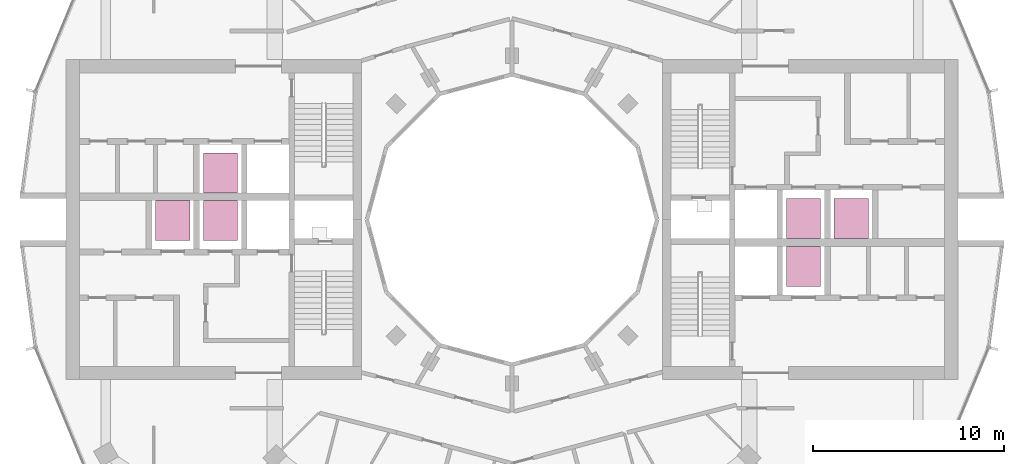
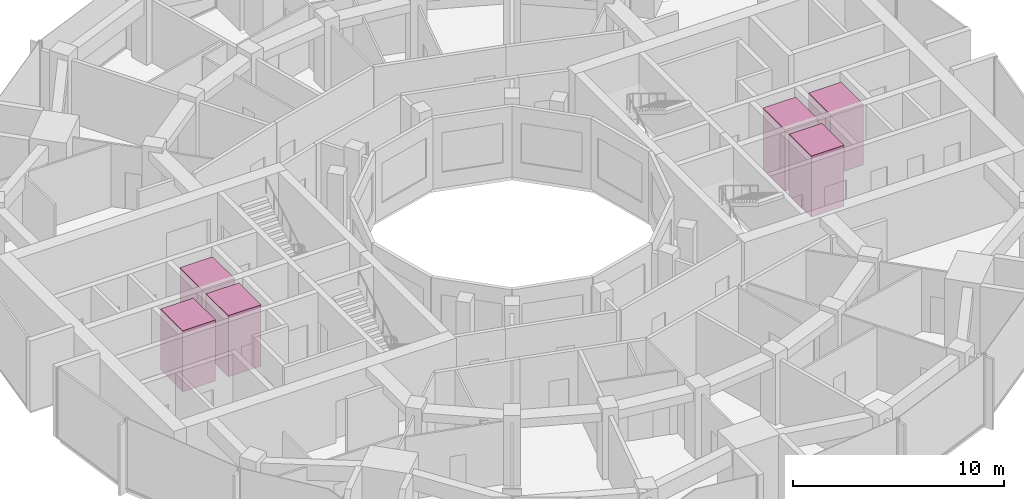
# One storey, part 15 of 15: 6 transport elements.
"""IFC4 building model written with IfcOpenShell, lengths in metres."""

from ifc_helpers import new_model, si_unit, direction, frame, origin, origin_2d, place, context, subcontext, project, spatial, rectangle, extrude, material, type_object, element, save


model = new_model("IFC4")

# Units and contexts
model_context = context("Model", 3, precision=1e-05, world=origin(), true_north=direction((0.0, 1.0)))
body_context = subcontext(model_context, "Body", "Model", "MODEL_VIEW")
ifc_project = project(units=[si_unit("LENGTHUNIT", "METRE"), si_unit("AREAUNIT", "SQUARE_METRE"), si_unit("VOLUMEUNIT", "CUBIC_METRE"), si_unit("PLANEANGLEUNIT", "RADIAN"), si_unit("MASSUNIT", "GRAM", prefix="KILO")], contexts=[model_context])

# Site, building, storey
site_placement = place(None, origin())
site = spatial("IfcSite", under=ifc_project, at=site_placement, CompositionType="ELEMENT")
building_placement = place(site_placement, origin())
building = spatial("IfcBuilding", under=site, at=building_placement, Name="Torre Brocal", CompositionType="ELEMENT")
storey_placement = place(building_placement, frame((0.0, 0.0, 186.39990234375)))
storey = spatial("IfcBuildingStorey", under=building, at=storey_placement, Name="L43", CompositionType="ELEMENT", Elevation=186.39990234375)

# Transport elements
ifc_material = material(Name="Stainless steel AISI 316", Category="steel")
transport_element_type = type_object("IfcTransportElementType", Name="PASSENGER LIFT", PredefinedType="ELEVATOR", material=ifc_material)
for number, where, z_axis, x_axis, name in (
    (1, (95.300048828125, 75.050048828125, 0.0), (0.0, 0.0, 1.0), (1.0, 0.0, 0.0), "HIGH RISE LIFT E-HR1"),
    (2, (95.300048828125, 72.550048828125, 0.0), (0.0, 0.0, 1.0), (1.0, 0.0, 0.0), "HIGH RISE LIFT E-HR2"),
    (3, (97.800048828125, 75.050048828125, 0.0), (0.0, 0.0, 1.0), (1.0, 0.0, 0.0), "HIGH RISE LIFT E-HR3"),
    (4, (64.699951171875, 74.949951171875, 0.0), (0.0, 0.0, 1.0), (1.0, 0.0, 0.0), "HIGH RISE LIFT W-HR1"),
    (5, (64.699951171875, 77.449951171875, 0.0), (0.0, 0.0, 1.0), (1.0, 0.0, 0.0), "HIGH RISE LIFT W-HR2"),
    (6, (62.199951171875, 74.949951171875, 0.0), (0.0, 0.0, 1.0), (1.0, 0.0, 0.0), "HIGH RISE LIFT W-HR3"),
):
    element("IfcTransportElement", number, at=place(storey_placement, frame(where, z_axis=z_axis, x_axis=x_axis)), inside=storey, type_object=transport_element_type, Name=name, PredefinedType="ELEVATOR", context=body_context, shape_type="SweptSolid", body=[
        extrude(rectangle(XDim=1.800048828125, YDim=2.10009765625, at=origin_2d()), origin(), (0.0, 0.0, 1.0), 3.550048828125),
    ])

save(model, "model.ifc")
